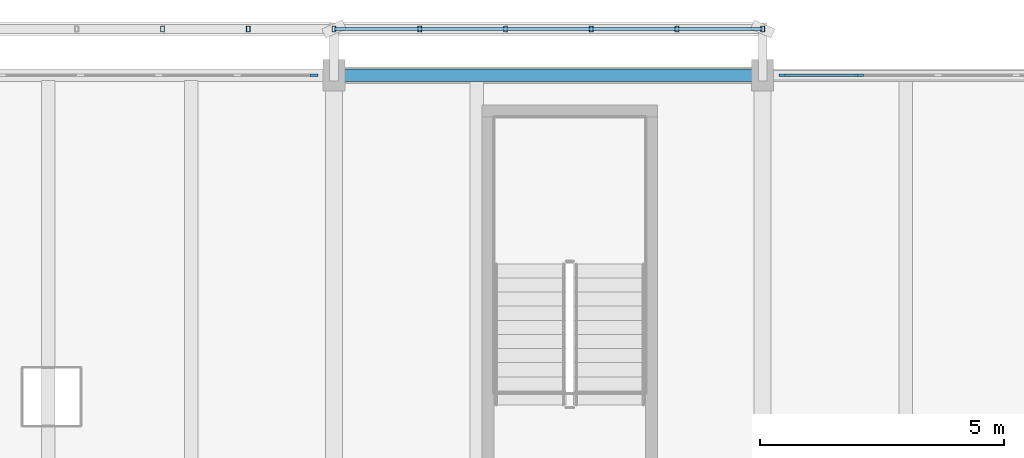
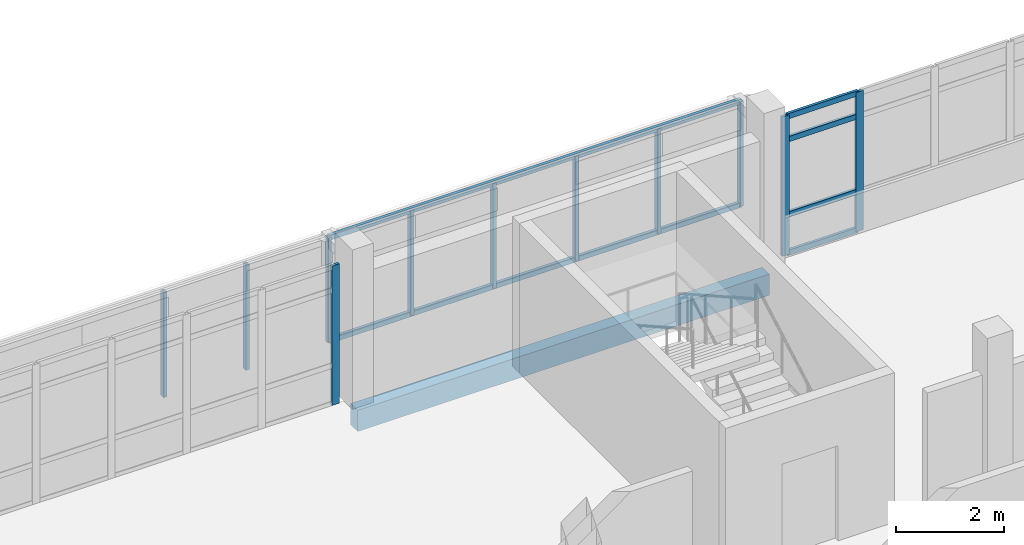
# One storey, part 18 of 30: 17 members, 1 beam, 2 elements without a shape of their own.
"""IFC4 building model written with IfcOpenShell, lengths in metres."""

from ifc_helpers import new_model, si_unit, direction, frame, origin, origin_2d, place, context, subcontext, project, spatial, rectangle, hollow_rectangle, extrude, material, material_profile, profile_set, type_object, element, aggregate, save


model = new_model("IFC4")

# Units and contexts
model_context = context("Model", 3, precision=1e-05, world=origin(), true_north=direction((0.0, 1.0)))
body_context = subcontext(model_context, "Body", "Model", "MODEL_VIEW")
ifc_project = project(units=[si_unit("LENGTHUNIT", "METRE"), si_unit("AREAUNIT", "SQUARE_METRE"), si_unit("VOLUMEUNIT", "CUBIC_METRE"), si_unit("PLANEANGLEUNIT", "RADIAN"), si_unit("MASSUNIT", "GRAM", prefix="KILO")], contexts=[model_context])

# Site, building, storey
site_placement = place(None, origin())
site = spatial("IfcSite", under=ifc_project, at=site_placement, CompositionType="ELEMENT")
building_placement = place(site_placement, origin())
building = spatial("IfcBuilding", under=site, at=building_placement, Name="Cinderway Yard Community Centre", CompositionType="ELEMENT")
storey_placement = place(building_placement, frame((0.0, 0.0, 16.5)))
storey = spatial("IfcBuildingStorey", under=building, at=storey_placement, Name="L04", CompositionType="ELEMENT", Elevation=16.5)

# Curtain wall, member
ifc_material_1 = material(Name="Aluminium 6063-T6", Category="aluminium")
curtain_wall_type = type_object("IfcCurtainWallType", Name="ENV-CW-TYPE-33", PredefinedType="USERDEFINED", material=ifc_material_1)
curtain_wall_1_placement = place(storey_placement, origin())
curtain_wall_1 = element("IfcCurtainWall", 1, at=curtain_wall_1_placement, inside=storey, type_object=curtain_wall_type, Name="V4 Street Curtain Wall ENV-CW-L04-ST-0183", ObjectType="GLAZED CURTAIN WALL", PredefinedType="USERDEFINED")
ifc_material_profile_1 = material_profile(ifc_material_1, rectangle(XDim=0.06005859375, YDim=0.159912109375, at=origin_2d()), Name="Aluminium 6063-T6")
ifc_profile_set_1 = profile_set([ifc_material_profile_1], Name="Aluminium 6063-T6")
member_type_1 = type_object("IfcMemberType", Name="ENV-CW-MULL-150", PredefinedType="MULLION", material=ifc_profile_set_1)
member_1_placement = place(storey_placement, frame((109.989990234375, 115.199951171875, 0.0), z_axis=(0.0, 0.0, 1.0), x_axis=(0.0, 1.0, 0.0)))
member_1 = element("IfcMember", 2, at=member_1_placement, type_object=member_type_1, Name="CW-33 mullion 6", PredefinedType="MULLION", context=body_context, shape_type="SweptSolid", body=[
    extrude(rectangle(XDim=0.06005859375, YDim=0.159912109375, at=origin_2d()), origin(), (0.0, 0.0, 1.0), 3.14990234375),
])
aggregate(curtain_wall_1, [member_1])

# Curtain wall, members
curtain_wall_2_placement = place(storey_placement, origin())
curtain_wall_2 = element("IfcCurtainWall", 3, at=curtain_wall_2_placement, inside=storey, type_object=curtain_wall_type, Name="V4 Street Curtain Wall ENV-CW-L04-ST-0186", ObjectType="GLAZED CURTAIN WALL", PredefinedType="USERDEFINED")
member_2_placement = place(storey_placement, frame((119.610107421875, 115.199951171875, 0.0), z_axis=(0.0, 0.0, 1.0), x_axis=(0.0, 1.0, 0.0)))
member_2 = element("IfcMember", 4, at=member_2_placement, type_object=member_type_1, Name="CW-33 mullion 1", PredefinedType="MULLION", context=body_context, shape_type="SweptSolid", body=[
    extrude(rectangle(XDim=0.06005859375, YDim=0.159912109375, at=origin_2d()), origin(), (0.0, 0.0, 1.0), 3.14990234375),
])
member_3_placement = place(storey_placement, frame((121.18798828125, 115.199951171875, 0.0), z_axis=(0.0, 0.0, 1.0), x_axis=(0.0, 1.0, 0.0)))
member_3 = element("IfcMember", 5, at=member_3_placement, type_object=member_type_1, Name="CW-33 mullion 2", PredefinedType="MULLION", context=body_context, shape_type="SweptSolid", body=[
    extrude(rectangle(XDim=0.06005859375, YDim=0.159912109375, at=origin_2d()), origin(), (0.0, 0.0, 1.0), 3.14990234375),
])
ifc_material_profile_2 = material_profile(ifc_material_1, rectangle(XDim=0.06005859375, YDim=0.1201171875, at=origin_2d()), Name="Aluminium 6063-T6")
ifc_profile_set_2 = profile_set([ifc_material_profile_2], Name="Aluminium 6063-T6")
member_type_2 = type_object("IfcMemberType", Name="ENV-CW-TRAN-110", PredefinedType="USERDEFINED", material=ifc_profile_set_2)
member_4_placement = place(storey_placement, frame((119.639892578125, 115.199951171875, 0.030029296875), z_axis=(1.0, 0.0, 0.0), x_axis=(0.0, 1.0, 0.0)))
member_4 = element("IfcMember", 6, at=member_4_placement, type_object=member_type_2, Name="CW-33 transom 1.1", ObjectType="TRANSOM", PredefinedType="USERDEFINED", context=body_context, shape_type="SweptSolid", body=[
    extrude(rectangle(XDim=0.06005859375, YDim=0.1201171875, at=origin_2d()), origin(), (0.0, 0.0, 1.0), 1.51806640625),
])
member_5_placement = place(storey_placement, frame((119.639892578125, 115.199951171875, 0.89990234375), z_axis=(1.0, 0.0, 0.0), x_axis=(0.0, 1.0, 0.0)))
member_5 = element("IfcMember", 7, at=member_5_placement, type_object=member_type_2, Name="CW-33 transom 1.2", ObjectType="TRANSOM", PredefinedType="USERDEFINED", context=body_context, shape_type="SweptSolid", body=[
    extrude(rectangle(XDim=0.06005859375, YDim=0.1201171875, at=origin_2d()), origin(), (0.0, 0.0, 1.0), 1.51806640625),
])
member_6_placement = place(storey_placement, frame((119.639892578125, 115.199951171875, 2.60009765625), z_axis=(1.0, 0.0, 0.0), x_axis=(0.0, 1.0, 0.0)))
member_6 = element("IfcMember", 8, at=member_6_placement, type_object=member_type_2, Name="CW-33 transom 1.3", ObjectType="TRANSOM", PredefinedType="USERDEFINED", context=body_context, shape_type="SweptSolid", body=[
    extrude(rectangle(XDim=0.06005859375, YDim=0.1201171875, at=origin_2d()), origin(), (0.0, 0.0, 1.0), 1.51806640625),
])
member_7_placement = place(storey_placement, frame((119.639892578125, 115.199951171875, 3.1201171875), z_axis=(1.0, 0.0, 0.0), x_axis=(0.0, 1.0, 0.0)))
member_7 = element("IfcMember", 9, at=member_7_placement, type_object=member_type_2, Name="CW-33 transom 1.4", ObjectType="TRANSOM", PredefinedType="USERDEFINED", context=body_context, shape_type="SweptSolid", body=[
    extrude(rectangle(XDim=0.06005859375, YDim=0.1201171875, at=origin_2d()), origin(), (0.0, 0.0, 1.0), 1.51806640625),
])
aggregate(curtain_wall_2, [member_2, member_3, member_4, member_5, member_6, member_7])

# Members
ifc_material_2 = material(Name="Steel S355", Category="steel")
ifc_material_profile_3 = material_profile(ifc_material_2, hollow_rectangle(XDim=0.080078125, YDim=0.1201171875, WallThickness=0.00634765625, InnerFilletRadius=0.00634765625, OuterFilletRadius=0.0126953125, at=origin_2d()), Name="Steel S355")
ifc_profile_set_3 = profile_set([ifc_material_profile_3], Name="Steel S355")
member_type_3 = type_object("IfcMemberType", Name="ENV-MEM-SCREEN-RAIL-120", PredefinedType="STRINGER", material=ifc_profile_set_3)
for number, where, z_axis, x_axis, name in (
    (10, (106.8798828125, 116.14990234375, 0.68994140625), (0.0, 0.0, 1.0), (1.0, 0.0, 0.0), "Screen vertical mullion 0305"),
    (11, (108.639892578125, 116.14990234375, 0.68994140625), (0.0, 0.0, 1.0), (1.0, 0.0, 0.0), "Screen vertical mullion 0306"),
    (12, (110.39990234375, 116.14990234375, 0.68994140625), (0.0, 0.0, 1.0), (1.0, 0.0, 0.0), "Screen vertical mullion 0307"),
):
    element("IfcMember", number, at=place(storey_placement, frame(where, z_axis=z_axis, x_axis=x_axis)), inside=storey, type_object=member_type_3, Name=name, PredefinedType="STRINGER", context=body_context, shape_type="SweptSolid", body=[
        extrude(hollow_rectangle(XDim=0.080078125, YDim=0.1201171875, WallThickness=0.00634765625, InnerFilletRadius=0.00634765625, OuterFilletRadius=0.0126953125, at=origin_2d()), origin(), (0.0, 0.0, 1.0), 2.3701171875),
    ])
for number, where, z_axis, x_axis, name in (
    (13, (110.39990234375, 116.14990234375, 0.7099609375), (1.0, 0.0, 0.0), (0.0, 1.0, 0.0), "Screen support rail 0309-BOT"),
    (14, (110.39990234375, 116.14990234375, 3.0400390625), (1.0, 0.0, 0.0), (0.0, 1.0, 0.0), "Screen support rail 0310-TOP"),
):
    element("IfcMember", number, at=place(storey_placement, frame(where, z_axis=z_axis, x_axis=x_axis)), inside=storey, type_object=member_type_3, Name=name, PredefinedType="STRINGER", context=body_context, shape_type="SweptSolid", body=[
        extrude(hollow_rectangle(XDim=0.080078125, YDim=0.1201171875, WallThickness=0.00634765625, InnerFilletRadius=0.00634765625, OuterFilletRadius=0.0126953125, at=origin_2d()), origin(), (0.0, 0.0, 1.0), 8.800048828125),
    ])
for number, where, z_axis, x_axis, name in (
    (15, (112.159912109375, 116.14990234375, 0.68994140625), (0.0, 0.0, 1.0), (1.0, 0.0, 0.0), "Screen vertical mullion 0311"),
    (16, (113.919921875, 116.14990234375, 0.68994140625), (0.0, 0.0, 1.0), (1.0, 0.0, 0.0), "Screen vertical mullion 0312"),
    (17, (115.679931640625, 116.14990234375, 0.68994140625), (0.0, 0.0, 1.0), (1.0, 0.0, 0.0), "Screen vertical mullion 0313"),
    (18, (117.43994140625, 116.14990234375, 0.68994140625), (0.0, 0.0, 1.0), (1.0, 0.0, 0.0), "Screen vertical mullion 0314"),
    (19, (119.199951171875, 116.14990234375, 0.68994140625), (0.0, 0.0, 1.0), (1.0, 0.0, 0.0), "Screen vertical mullion 0315"),
):
    element("IfcMember", number, at=place(storey_placement, frame(where, z_axis=z_axis, x_axis=x_axis)), inside=storey, type_object=member_type_3, Name=name, PredefinedType="STRINGER", context=body_context, shape_type="SweptSolid", body=[
        extrude(hollow_rectangle(XDim=0.080078125, YDim=0.1201171875, WallThickness=0.00634765625, InnerFilletRadius=0.00634765625, OuterFilletRadius=0.0126953125, at=origin_2d()), origin(), (0.0, 0.0, 1.0), 2.3701171875),
    ])

# Beam
ifc_material_3 = material(Name="Concrete C40/50", Category="concrete")
ifc_material_profile_4 = material_profile(ifc_material_3, rectangle(XDim=0.260009765625, YDim=0.47998046875, at=origin_2d()), Name="Concrete C40/50")
ifc_profile_set_4 = profile_set([ifc_material_profile_4], Name="Concrete C40/50")
beam_type = type_object("IfcBeamType", Name="STR-BM-RC260X480", PredefinedType="SPANDREL", material=ifc_profile_set_4)
beam_placement = place(storey_placement, frame((110.39990234375, 115.199951171875, -0.4599609375), z_axis=(1.0, 0.0, 0.0), x_axis=(0.0, 1.0, 0.0)))
element("IfcBeam", 20, at=beam_placement, inside=storey, type_object=beam_type, Name="Primary girder STR-BM-L04-SP01-0840", PredefinedType="SPANDREL", context=body_context, shape_type="SweptSolid", body=[
    extrude(rectangle(XDim=0.260009765625, YDim=0.47998046875, at=origin_2d()), origin(), (0.0, 0.0, 1.0), 8.800048828125),
])

save(model, "model.ifc")
